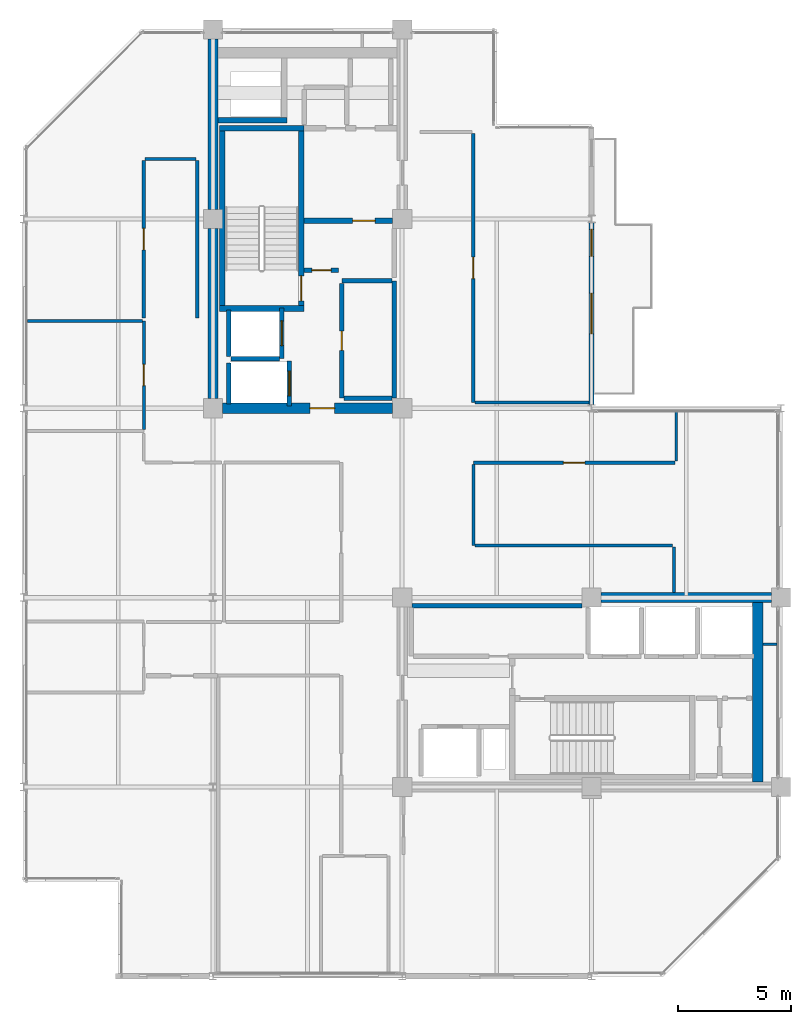
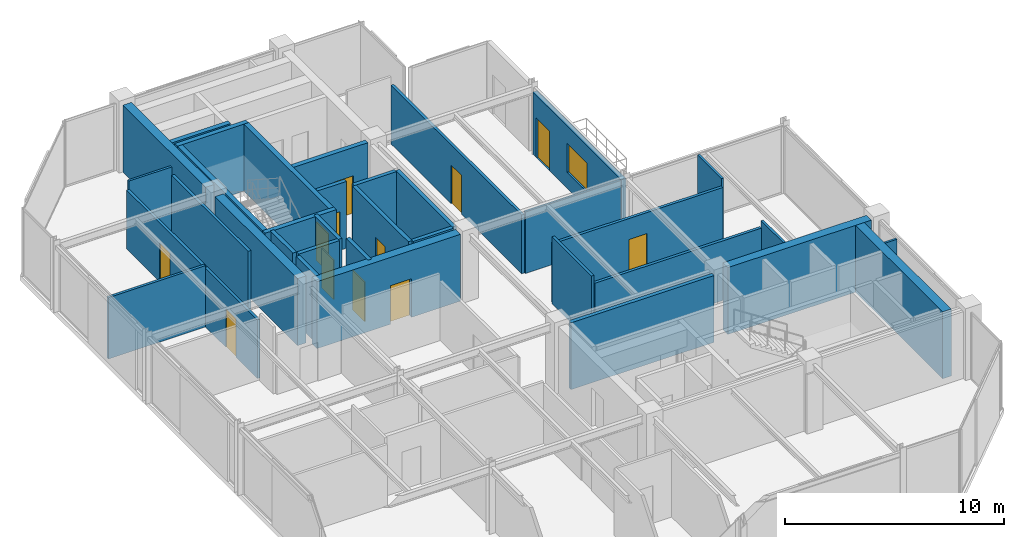
# One storey, part 21 of 24: 36 walls, 12 doors, 1 window, 13 openings.
"""IFC4 building model written with IfcOpenShell, lengths in metres."""

from ifc_helpers import new_model, si_unit, direction, frame, frame_2d, origin, place, context, subcontext, project, spatial, rectangle, extrude, material, layer, layer_set, type_object, element, fill, save


model = new_model("IFC4")

# Units and contexts
model_context = context("Model", 3, precision=1e-05, world=origin(), true_north=direction((0.0, 1.0)))
body_context = subcontext(model_context, "Body", "Model", "MODEL_VIEW")
ifc_project = project(units=[si_unit("LENGTHUNIT", "METRE"), si_unit("AREAUNIT", "SQUARE_METRE"), si_unit("VOLUMEUNIT", "CUBIC_METRE"), si_unit("PLANEANGLEUNIT", "RADIAN"), si_unit("MASSUNIT", "GRAM", prefix="KILO")], contexts=[model_context])

# Site, building, storey
site_placement = place(None, origin())
site = spatial("IfcSite", under=ifc_project, at=site_placement, CompositionType="ELEMENT")
building_placement = place(site_placement, origin())
building = spatial("IfcBuilding", under=site, at=building_placement, Name="Nerrivon Quay Data Exchange", CompositionType="ELEMENT")
storey_placement = place(building_placement, frame((0.0, 0.0, 310.199951171875)))
storey = spatial("IfcBuildingStorey", under=building, at=storey_placement, Name="L74", CompositionType="ELEMENT", Elevation=310.199951171875)

# Wall, openings, door, window
ifc_material_1 = material(Name="Architectural terracotta precast concrete N50 (50 MPa)", Category="masonry")
ifc_layer_1 = layer(ifc_material_1, 0.239990234375)
ifc_layer_set_1 = layer_set([ifc_layer_1], Name="Architectural terracotta precast concrete N50 (50 MPa)")
wall_type_1 = type_object("IfcWallType", Name="EW-PREC-240", PredefinedType="STANDARD", material=ifc_layer_set_1)
wall_1_placement = place(storey_placement, frame((25.199951171875, 33.4365234375, 0.0), z_axis=(0.0, 0.0, 1.0), x_axis=(0.0, -1.0, 0.0)))
wall_1 = element("IfcWall", 1, at=wall_1_placement, inside=storey, type_object=wall_type_1, Name="L74 Terrace Host Wall 20", PredefinedType="STANDARD", context=body_context, shape_type="SweptSolid", body=[
    extrude(rectangle(XDim=8.072998046875, YDim=0.239990234375, at=frame_2d((4.03662109375, 0.0))), origin(), (0.0, 0.0, 1.0), 3.47509765625),
])
opening_1_placement = place(wall_1_placement, frame((0.300048828125, 0.0, 0.0)))
opening_1 = element("IfcOpeningElement", 2, at=opening_1_placement, cuts=wall_1, Name="Opening TD1", PredefinedType="OPENING", context=body_context, shape_type="SweptSolid", body=[
    extrude(rectangle(XDim=1.199951171875, YDim=2.199951171875, at=frame_2d((0.60009765625, 1.10009765625))), frame((0.0, 0.1298828125, 0.0), z_axis=(0.0, -1.0, 0.0), x_axis=(1.0, 0.0, 0.0)), (0.0, 0.0, 1.0), 0.260009765625),
])
opening_2_placement = place(wall_1_placement, frame((3.131591796875, 0.0, 0.89990234375)))
opening_2 = element("IfcOpeningElement", 3, at=opening_2_placement, cuts=wall_1, Name="Opening WN2", PredefinedType="OPENING", context=body_context, shape_type="SweptSolid", body=[
    extrude(rectangle(XDim=1.800048828125, YDim=1.60009765625, at=frame_2d((0.89990234375, 0.800048828125))), frame((0.0, 0.1298828125, 0.0), z_axis=(0.0, -1.0, 0.0), x_axis=(1.0, 0.0, 0.0)), (0.0, 0.0, 1.0), 0.260009765625),
])
ifc_material_2 = material(Name="Double-glazed low-E solar control glass", Category="glass")
door_type_1 = type_object("IfcDoorType", Name="DR-TERR-1200x2200", OperationType="NOTDEFINED", PredefinedType="DOOR", material=ifc_material_2)
door_1_placement = place(opening_1_placement, origin())
door_1 = element("IfcDoor", 4, at=door_1_placement, inside=storey, type_object=door_type_1, Name="L74 Outdoor Terrace Access Door 20", OperationType="SINGLE_SWING_LEFT", OverallHeight=2.199951171875, OverallWidth=1.199951171875, PredefinedType="DOOR", context=body_context, shape_type="SweptSolid", body=[
    extrude(rectangle(XDim=1.199951171875, YDim=2.199951171875, at=frame_2d((0.60009765625, 1.10009765625))), frame((0.0, 0.02490234375, 0.0), z_axis=(0.0, -1.0, 0.0), x_axis=(1.0, 0.0, 0.0)), (0.0, 0.0, 1.0), 0.050048828125),
])
fill(opening_1, door_1)
window_type = type_object("IfcWindowType", Name="WIN-W2-1800x1600", PartitioningType="SINGLE_PANEL", PredefinedType="WINDOW", material=ifc_material_2)
window_placement = place(opening_2_placement, origin())
window = element("IfcWindow", 5, at=window_placement, inside=storey, type_object=window_type, Name="L74 Terrace Side Window 20", OverallHeight=1.60009765625, OverallWidth=1.800048828125, PartitioningType="SINGLE_PANEL", PredefinedType="WINDOW", context=body_context, shape_type="SweptSolid", body=[
    extrude(rectangle(XDim=1.800048828125, YDim=1.60009765625, at=frame_2d((0.89990234375, 0.800048828125))), frame((0.0, 0.030029296875, 0.0), z_axis=(0.0, -1.0, 0.0), x_axis=(1.0, 0.0, 0.0)), (0.0, 0.0, 1.0), 0.06005859375),
])
fill(opening_2, window)

# Walls
ifc_material_3 = material(Name="Concrete N50 (50 MPa)", Category="concrete")
ifc_layer_2 = layer(ifc_material_3, 0.449951171875)
ifc_layer_set_2 = layer_set([ifc_layer_2], Name="Concrete N50 (50 MPa)")
wall_type_2 = type_object("IfcWallType", Name="WALL-CW-550", PredefinedType="SHEAR", material=ifc_layer_set_2)
for number, where, z_axis, x_axis, name in (
    (6, (8.39990234375, 25.625, 0.0), (0.0, 0.0, 1.0), (0.0, 1.0, 0.0), "L74 West Split-Core Shear Wall WCW-W1"),
    (7, (8.39990234375, 34.02490234375, 0.0), (0.0, 0.0, 1.0), (0.0, 1.0, 0.0), "L74 West Split-Core Shear Wall WCW-W2"),
):
    element("IfcWall", number, at=place(storey_placement, frame(where, z_axis=z_axis, x_axis=x_axis)), inside=storey, type_object=wall_type_2, Name=name, PredefinedType="SHEAR", context=body_context, shape_type="SweptSolid", body=[
        extrude(rectangle(XDim=7.550048828125, YDim=0.449951171875, at=frame_2d((3.77490234375, 0.0))), origin(), (0.0, 0.0, 1.0), 3.72509765625),
    ])

# Wall, opening, door
wall_2_placement = place(storey_placement, frame((8.824951171875, 25.199951171875, 0.0), z_axis=(0.0, 0.0, 1.0), x_axis=(1.0, 0.0, 0.0)))
wall_2 = element("IfcWall", 8, at=wall_2_placement, inside=storey, type_object=wall_type_2, Name="L74 West Split-Core Shear Wall WCW-S1", PredefinedType="SHEAR", context=body_context, shape_type="SweptSolid", body=[
    extrude(rectangle(XDim=7.550048828125, YDim=0.449951171875, at=frame_2d((3.77490234375, 0.0))), origin(), (0.0, 0.0, 1.0), 3.72509765625),
])
opening_3_placement = place(wall_2_placement, frame((3.875, 0.0, 0.0)))
opening_3 = element("IfcOpeningElement", 9, at=opening_3_placement, cuts=wall_2, Name="Opening FD-120", PredefinedType="OPENING", context=body_context, shape_type="SweptSolid", body=[
    extrude(rectangle(XDim=1.10009765625, YDim=2.14990234375, at=frame_2d((0.550048828125, 1.074951171875))), frame((0.0, 0.23486328125, 0.0), z_axis=(0.0, -1.0, 0.0), x_axis=(1.0, 0.0, 0.0)), (0.0, 0.0, 1.0), 0.469970703125),
])
ifc_material_4 = material(Name="Powder-coated galvanized steel sheet", Category="steel")
door_type_2 = type_object("IfcDoorType", Name="DR-FD120-1100", OperationType="NOTDEFINED", PredefinedType="DOOR", material=ifc_material_4)
door_2_placement = place(opening_3_placement, origin())
door_2 = element("IfcDoor", 10, at=door_2_placement, inside=storey, type_object=door_type_2, Name="L74 West Core Lobby Fire Door", OperationType="SINGLE_SWING_LEFT", OverallHeight=2.14990234375, OverallWidth=1.10009765625, PredefinedType="DOOR", context=body_context, shape_type="SweptSolid", body=[
    extrude(rectangle(XDim=1.10009765625, YDim=2.14990234375, at=frame_2d((0.550048828125, 1.074951171875))), frame((0.0, 0.02490234375, 0.0), z_axis=(0.0, -1.0, 0.0), x_axis=(1.0, 0.0, 0.0)), (0.0, 0.0, 1.0), 0.050048828125),
])
fill(opening_3, door_2)

# Walls
wall_3_placement = place(storey_placement, frame((32.574951171875, 8.625, 0.0), z_axis=(0.0, 0.0, 1.0), x_axis=(0.0, 1.0, 0.0)))
element("IfcWall", 11, at=wall_3_placement, inside=storey, type_object=wall_type_2, Name="L74 East Split-Core Shear Wall ECW-E1", PredefinedType="SHEAR", context=body_context, shape_type="SweptSolid", body=[
    extrude(rectangle(XDim=7.949951171875, YDim=0.449951171875, at=frame_2d((3.97509765625, 0.0))), origin(), (0.0, 0.0, 1.0), 3.72509765625),
])
wall_4_placement = place(storey_placement, frame((25.625, 16.800048828125, 0.0), z_axis=(0.0, 0.0, 1.0), x_axis=(1.0, 0.0, 0.0)))
element("IfcWall", 12, at=wall_4_placement, inside=storey, type_object=wall_type_2, Name="L74 East Split-Core Shear Wall ECW-N1", PredefinedType="SHEAR", context=body_context, shape_type="SweptSolid", body=[
    extrude(rectangle(XDim=7.550048828125, YDim=0.449951171875, at=frame_2d((3.77490234375, 0.0))), origin(), (0.0, 0.0, 1.0), 3.72509765625),
])

# Wall, opening, door
ifc_material_5 = material(Name="Gypsum plasterboard on cold-formed framing", Category="gypsum")
ifc_layer_3 = layer(ifc_material_5, 0.199951171875)
ifc_layer_set_3 = layer_set([ifc_layer_3], Name="Gypsum plasterboard on cold-formed framing")
wall_type_3 = type_object("IfcWallType", Name="WALL-FW-200", PredefinedType="PARTITIONING", material=ifc_layer_set_3)
wall_5_placement = place(storey_placement, frame((11.449951171875, 27.39990234375, 0.0), z_axis=(0.0, 0.0, 1.0), x_axis=(0.0, 1.0, 0.0)))
wall_5 = element("IfcWall", 13, at=wall_5_placement, inside=storey, type_object=wall_type_3, Name="L74 Lift Front Wall FFL-1", PredefinedType="PARTITIONING", context=body_context, shape_type="SweptSolid", body=[
    extrude(rectangle(XDim=2.25, YDim=0.199951171875, at=frame_2d((1.125, 0.0))), origin(), (0.0, 0.0, 1.0), 3.72509765625),
])
opening_4_placement = place(wall_5_placement, frame((0.574951171875, 0.0, 0.0)))
opening_4 = element("IfcOpeningElement", 14, at=opening_4_placement, cuts=wall_5, Name="Opening LD-120", PredefinedType="OPENING", context=body_context, shape_type="SweptSolid", body=[
    extrude(rectangle(XDim=1.10009765625, YDim=2.199951171875, at=frame_2d((0.550048828125, 1.10009765625))), frame((0.0, 0.10986328125, 0.0), z_axis=(0.0, -1.0, 0.0), x_axis=(1.0, 0.0, 0.0)), (0.0, 0.0, 1.0), 0.219970703125),
])
door_type_3 = type_object("IfcDoorType", Name="DR-LIFT-LD120", OperationType="DOUBLE_DOOR_SLIDING", PredefinedType="DOOR", material=ifc_material_4)
door_3_placement = place(opening_4_placement, origin())
door_3 = element("IfcDoor", 15, at=door_3_placement, inside=storey, type_object=door_type_3, Name="L74 Lift Landing Sliding Door FFL-1", OperationType="DOUBLE_DOOR_SLIDING", OverallHeight=2.199951171875, OverallWidth=1.10009765625, PredefinedType="DOOR", context=body_context, shape_type="SweptSolid", body=[
    extrude(rectangle(XDim=1.10009765625, YDim=2.199951171875, at=frame_2d((0.550048828125, 1.10009765625))), frame((0.0, 0.02490234375, 0.0), z_axis=(0.0, -1.0, 0.0), x_axis=(1.0, 0.0, 0.0)), (0.0, 0.0, 1.0), 0.050048828125),
])
fill(opening_4, door_3)

# Walls
wall_6_placement = place(storey_placement, frame((9.10009765625, 27.5, 0.0), z_axis=(0.0, 0.0, 1.0), x_axis=(0.0, 1.0, 0.0)))
element("IfcWall", 16, at=wall_6_placement, inside=storey, type_object=wall_type_3, Name="L74 Lift Shaft Wall FFL-1 WEST", PredefinedType="PARTITIONING", context=body_context, shape_type="SweptSolid", body=[
    extrude(rectangle(XDim=2.050048828125, YDim=0.199951171875, at=frame_2d((1.02490234375, 0.0))), origin(), (0.0, 0.0, 1.0), 3.72509765625),
])
wall_7_placement = place(storey_placement, frame((9.199951171875, 27.39990234375, 0.0), z_axis=(0.0, 0.0, 1.0), x_axis=(1.0, 0.0, 0.0)))
element("IfcWall", 17, at=wall_7_placement, inside=storey, type_object=wall_type_3, Name="L74 Lift Shaft Wall FFL-1 SOUTH", PredefinedType="PARTITIONING", context=body_context, shape_type="SweptSolid", body=[
    extrude(rectangle(XDim=2.150146484375, YDim=0.199951171875, at=frame_2d((1.0751953125, 0.0))), origin(), (0.0, 0.0, 1.0), 3.72509765625),
])

# Wall, opening, door
wall_8_placement = place(storey_placement, frame((11.800048828125, 25.300048828125, 0.0), z_axis=(0.0, 0.0, 1.0), x_axis=(0.0, 1.0, 0.0)))
wall_8 = element("IfcWall", 18, at=wall_8_placement, inside=storey, type_object=wall_type_3, Name="L74 Lift Front Wall SVL-1", PredefinedType="PARTITIONING", context=body_context, shape_type="SweptSolid", body=[
    extrude(rectangle(XDim=2.0, YDim=0.199951171875, at=frame_2d((1.0, 0.0))), origin(), (0.0, 0.0, 1.0), 3.72509765625),
])
opening_5_placement = place(wall_8_placement, frame((0.449951171875, 0.0, 0.0)))
opening_5 = element("IfcOpeningElement", 19, at=opening_5_placement, cuts=wall_8, Name="Opening LD-120", PredefinedType="OPENING", context=body_context, shape_type="SweptSolid", body=[
    extrude(rectangle(XDim=1.10009765625, YDim=2.199951171875, at=frame_2d((0.550048828125, 1.10009765625))), frame((0.0, 0.10986328125, 0.0), z_axis=(0.0, -1.0, 0.0), x_axis=(1.0, 0.0, 0.0)), (0.0, 0.0, 1.0), 0.219970703125),
])
door_4_placement = place(opening_5_placement, origin())
door_4 = element("IfcDoor", 20, at=door_4_placement, inside=storey, type_object=door_type_3, Name="L74 Lift Landing Sliding Door SVL-1", OperationType="DOUBLE_DOOR_SLIDING", OverallHeight=2.199951171875, OverallWidth=1.10009765625, PredefinedType="DOOR", context=body_context, shape_type="SweptSolid", body=[
    extrude(rectangle(XDim=1.10009765625, YDim=2.199951171875, at=frame_2d((0.550048828125, 1.10009765625))), frame((0.0, 0.02490234375, 0.0), z_axis=(0.0, -1.0, 0.0), x_axis=(1.0, 0.0, 0.0)), (0.0, 0.0, 1.0), 0.050048828125),
])
fill(opening_5, door_4)

# Walls
wall_9_placement = place(storey_placement, frame((9.10009765625, 25.39990234375, 0.0), z_axis=(0.0, 0.0, 1.0), x_axis=(0.0, 1.0, 0.0)))
element("IfcWall", 21, at=wall_9_placement, inside=storey, type_object=wall_type_3, Name="L74 Lift Shaft Wall SVL-1 WEST", PredefinedType="PARTITIONING", context=body_context, shape_type="SweptSolid", body=[
    extrude(rectangle(XDim=1.800048828125, YDim=0.199951171875, at=frame_2d((0.89990234375, 0.0))), origin(), (0.0, 0.0, 1.0), 3.72509765625),
])
wall_10_placement = place(storey_placement, frame((16.449951171875, 25.64990234375, 0.0), z_axis=(0.0, 0.0, 1.0), x_axis=(0.0, 1.0, 0.0)))
element("IfcWall", 22, at=wall_10_placement, inside=storey, type_object=wall_type_3, Name="L74 Partition Fibre Patch Store", PredefinedType="PARTITIONING", context=body_context, shape_type="SweptSolid", body=[
    extrude(rectangle(XDim=5.2001953125, YDim=0.199951171875, at=frame_2d((2.60009765625, 0.0))), origin(), (0.0, 0.0, 1.0), 3.72509765625),
])
wall_11_placement = place(storey_placement, frame((16.345947265625, 30.85009765625, 0.0), z_axis=(0.0, 0.0, 1.0), x_axis=(-1.0, 0.0, 0.0)))
element("IfcWall", 23, at=wall_11_placement, inside=storey, type_object=wall_type_3, Name="L74 Partition Fibre Patch Store", PredefinedType="PARTITIONING", context=body_context, shape_type="SweptSolid", body=[
    extrude(rectangle(XDim=2.225830078125, YDim=0.199951171875, at=frame_2d((1.11279296875, 0.0))), origin(), (0.0, 0.0, 1.0), 3.72509765625),
])

# Wall, opening, door
wall_12_placement = place(storey_placement, frame((14.1201171875, 30.74609375, 0.0), z_axis=(0.0, 0.0, 1.0), x_axis=(0.0, -1.0, 0.0)))
wall_12 = element("IfcWall", 24, at=wall_12_placement, inside=storey, type_object=wall_type_3, Name="L74 Partition Fibre Patch Store", PredefinedType="PARTITIONING", context=body_context, shape_type="SweptSolid", body=[
    extrude(rectangle(XDim=5.09619140625, YDim=0.199951171875, at=frame_2d((2.548095703125, 0.0))), origin(), (0.0, 0.0, 1.0), 3.72509765625),
])
opening_6_placement = place(wall_12_placement, frame((2.123046875, 0.0, 0.0)))
opening_6 = element("IfcOpeningElement", 25, at=opening_6_placement, cuts=wall_12, Name="Opening FD-60S", PredefinedType="OPENING", context=body_context, shape_type="SweptSolid", body=[
    extrude(rectangle(XDim=0.85009765625, YDim=2.14990234375, at=frame_2d((0.425048828125, 1.074951171875))), frame((0.0, 0.10986328125, 0.0), z_axis=(0.0, -1.0, 0.0), x_axis=(1.0, 0.0, 0.0)), (0.0, 0.0, 1.0), 0.219970703125),
])
ifc_material_6 = material(Name="Engineered hardwood timber", Category="wood")
door_type_4 = type_object("IfcDoorType", Name="DR-FD60-850", OperationType="NOTDEFINED", PredefinedType="DOOR", material=ifc_material_6)
door_5_placement = place(opening_6_placement, origin())
door_5 = element("IfcDoor", 26, at=door_5_placement, inside=storey, type_object=door_type_4, Name="L74 Door Fibre Patch Store", OperationType="SINGLE_SWING_LEFT", OverallHeight=2.14990234375, OverallWidth=0.85009765625, PredefinedType="DOOR", context=body_context, shape_type="SweptSolid", body=[
    extrude(rectangle(XDim=0.85009765625, YDim=2.14990234375, at=frame_2d((0.425048828125, 1.074951171875))), frame((0.0, 0.02490234375, 0.0), z_axis=(0.0, -1.0, 0.0), x_axis=(1.0, 0.0, 0.0)), (0.0, 0.0, 1.0), 0.050048828125),
])
fill(opening_6, door_5)

# Wall
wall_13_placement = place(storey_placement, frame((14.22412109375, 25.64990234375, 0.0), z_axis=(0.0, 0.0, 1.0), x_axis=(1.0, 0.0, 0.0)))
element("IfcWall", 27, at=wall_13_placement, inside=storey, type_object=wall_type_3, Name="L74 Partition Fibre Patch Store", PredefinedType="PARTITIONING", context=body_context, shape_type="SweptSolid", body=[
    extrude(rectangle(XDim=2.121826171875, YDim=0.199951171875, at=frame_2d((1.06103515625, 0.0))), origin(), (0.0, 0.0, 1.0), 3.72509765625),
])

# Wall, opening, door
wall_14_placement = place(storey_placement, frame((12.4541015625, 31.320068359375, 0.0), z_axis=(0.0, 0.0, 1.0), x_axis=(0.999999949061, -0.000319182876, 0.0)))
wall_14 = element("IfcWall", 28, at=wall_14_placement, inside=storey, type_object=wall_type_3, Name="L74 Partition Core Equipment Closet", PredefinedType="PARTITIONING", context=body_context, shape_type="SweptSolid", body=[
    extrude(rectangle(XDim=1.52978515625, YDim=0.199951171875, at=frame_2d((0.764892578125, 0.0))), origin(), (0.0, 0.0, 1.0), 3.72509765625),
])
opening_7_placement = place(wall_14_placement, frame((0.340087890625, 0.0, 0.0)))
opening_7 = element("IfcOpeningElement", 29, at=opening_7_placement, cuts=wall_14, Name="Opening FD-60S", PredefinedType="OPENING", context=body_context, shape_type="SweptSolid", body=[
    extrude(rectangle(XDim=0.85009765625, YDim=2.14990234375, at=frame_2d((0.425048828125, 1.074951171875))), frame((0.0, 0.10986328125, 0.0), z_axis=(0.0, -1.0, 0.0), x_axis=(1.0, 0.0, 0.0)), (0.0, 0.0, 1.0), 0.219970703125),
])
door_6_placement = place(opening_7_placement, origin())
door_6 = element("IfcDoor", 30, at=door_6_placement, inside=storey, type_object=door_type_4, Name="L74 Door Core Equipment Closet", OperationType="SINGLE_SWING_RIGHT", OverallHeight=2.14990234375, OverallWidth=0.85009765625, PredefinedType="DOOR", context=body_context, shape_type="SweptSolid", body=[
    extrude(rectangle(XDim=0.85009765625, YDim=2.14990234375, at=frame_2d((0.425048828125, 1.074951171875))), frame((0.0, 0.02490234375, 0.0), z_axis=(0.0, -1.0, 0.0), x_axis=(1.0, 0.0, 0.0)), (0.0, 0.0, 1.0), 0.050048828125),
])
fill(opening_7, door_6)

# Walls
wall_15_placement = place(storey_placement, frame((24.77001953125, 16.449951171875, 0.0), z_axis=(0.0, 0.0, 1.0), x_axis=(-1.0, 0.0, 0.0)))
element("IfcWall", 31, at=wall_15_placement, inside=storey, type_object=wall_type_3, Name="L74 Partition High-Zone Patching Archive", PredefinedType="PARTITIONING", context=body_context, shape_type="SweptSolid", body=[
    extrude(rectangle(XDim=7.5400390625, YDim=0.199951171875, at=frame_2d((3.77001953125, 0.0))), origin(), (0.0, 0.0, 1.0), 3.72509765625),
])
ifc_layer_4 = layer(ifc_material_5, 0.1201171875)
ifc_layer_set_4 = layer_set([ifc_layer_4], Name="Gypsum plasterboard on cold-formed framing")
wall_type_4 = type_object("IfcWallType", Name="WALL-PT-120", PredefinedType="PARTITIONING", material=ifc_layer_set_4)
wall_16_placement = place(storey_placement, frame((28.860107421875, 19.050048828125, 0.0), z_axis=(0.0, 0.0, 1.0), x_axis=(0.0, -1.0, 0.0)))
element("IfcWall", 32, at=wall_16_placement, inside=storey, type_object=wall_type_4, Name="L74 Partition Peering Huddle Meeting Room", PredefinedType="PARTITIONING", context=body_context, shape_type="SweptSolid", body=[
    extrude(rectangle(XDim=2.02099609375, YDim=0.1201171875, at=frame_2d((1.010498046875, 0.0))), origin(), (0.0, 0.0, 1.0), 3.72509765625),
])
wall_17_placement = place(storey_placement, frame((32.803955078125, 14.72998046875, 0.0), z_axis=(0.0, 0.0, 1.0), x_axis=(1.0, 0.0, 0.0)))
element("IfcWall", 33, at=wall_17_placement, inside=storey, type_object=wall_type_4, Name="L74 Partition Peering Huddle Meeting Room", PredefinedType="PARTITIONING", context=body_context, shape_type="SweptSolid", body=[
    extrude(rectangle(XDim=0.626953125, YDim=0.1201171875, at=frame_2d((0.3134765625, 0.0))), origin(), (0.0, 0.0, 1.0), 3.72509765625),
])
wall_18_placement = place(storey_placement, frame((28.9599609375, 25.031005859375, 0.0), z_axis=(0.0, 0.0, 1.0), x_axis=(0.0, -1.0, 0.0)))
element("IfcWall", 34, at=wall_18_placement, inside=storey, type_object=wall_type_4, Name="L74 Partition Peering Huddle Meeting Room", PredefinedType="PARTITIONING", context=body_context, shape_type="SweptSolid", body=[
    extrude(rectangle(XDim=2.180908203125, YDim=0.1201171875, at=frame_2d((1.09033203125, 0.0))), origin(), (0.0, 0.0, 1.0), 3.72509765625),
])
wall_19_placement = place(storey_placement, frame((5.39990234375, 36.260009765625, 0.0), z_axis=(0.0, 0.0, 1.0), x_axis=(1.0, 0.0, 0.0)))
element("IfcWall", 35, at=wall_19_placement, inside=storey, type_object=wall_type_4, Name="L74 Partition Technical Library", PredefinedType="PARTITIONING", context=body_context, shape_type="SweptSolid", body=[
    extrude(rectangle(XDim=2.25, YDim=0.1201171875, at=frame_2d((1.125, 0.0))), origin(), (0.0, 0.0, 1.0), 3.72509765625),
])

# Wall, opening, door
ifc_layer_5 = layer(ifc_material_5, 0.135009765625)
ifc_layer_set_5 = layer_set([ifc_layer_5], Name="Gypsum plasterboard on cold-formed framing")
wall_type_5 = type_object("IfcWallType", Name="WALL-PT-135", PredefinedType="PARTITIONING", material=ifc_layer_set_5)
wall_20_placement = place(storey_placement, frame((5.340087890625, 24.26708984375, 0.0), z_axis=(0.0, 0.0, 1.0), x_axis=(0.0, 1.0, 0.0)))
wall_20 = element("IfcWall", 36, at=wall_20_placement, inside=storey, type_object=wall_type_5, Name="L74 Partition Staff Pantry", PredefinedType="PARTITIONING", context=body_context, shape_type="SweptSolid", body=[
    extrude(rectangle(XDim=4.814697265625, YDim=0.135009765625, at=frame_2d((2.4072265625, 0.0))), origin(), (0.0, 0.0, 1.0), 3.27099609375),
])
opening_8_placement = place(wall_20_placement, frame((1.9326171875, 0.0, 0.0)))
opening_8 = element("IfcOpeningElement", 37, at=opening_8_placement, cuts=wall_20, Name="Opening D-01", PredefinedType="OPENING", context=body_context, shape_type="SweptSolid", body=[
    extrude(rectangle(XDim=0.949951171875, YDim=2.14990234375, at=frame_2d((0.47509765625, 1.074951171875))), frame((0.0, 0.077392578125, 0.0), z_axis=(0.0, -1.0, 0.0), x_axis=(1.0, 0.0, 0.0)), (0.0, 0.0, 1.0), 0.155029296875),
])
door_type_5 = type_object("IfcDoorType", Name="DR-INT-950", OperationType="NOTDEFINED", PredefinedType="DOOR", material=ifc_material_6)
door_7_placement = place(opening_8_placement, origin())
door_7 = element("IfcDoor", 38, at=door_7_placement, inside=storey, type_object=door_type_5, Name="L74 Door Staff Pantry", OperationType="SINGLE_SWING_RIGHT", OverallHeight=2.14990234375, OverallWidth=0.949951171875, PredefinedType="DOOR", context=body_context, shape_type="SweptSolid", body=[
    extrude(rectangle(XDim=0.949951171875, YDim=2.14990234375, at=frame_2d((0.47509765625, 1.074951171875))), frame((0.0, 0.02490234375, 0.0), z_axis=(0.0, -1.0, 0.0), x_axis=(1.0, 0.0, 0.0)), (0.0, 0.0, 1.0), 0.050048828125),
])
fill(opening_8, door_7)

# Walls
wall_21_placement = place(storey_placement, frame((5.2685546875, 29.081787109375, 0.0), z_axis=(0.0, 0.0, 1.0), x_axis=(-1.0, 0.0, 0.0)))
element("IfcWall", 39, at=wall_21_placement, inside=storey, type_object=wall_type_5, Name="L74 Partition Staff Pantry", PredefinedType="PARTITIONING", context=body_context, shape_type="SweptSolid", body=[
    extrude(rectangle(XDim=5.099609375, YDim=0.135009765625, at=frame_2d((2.5498046875, 0.0))), origin(), (0.0, 0.0, 1.0), 3.421142578125),
])
wall_22_placement = place(storey_placement, frame((19.9599609375, 22.7109375, 0.0), z_axis=(0.0, 0.0, 1.0), x_axis=(0.0, -1.0, 0.0)))
element("IfcWall", 40, at=wall_22_placement, inside=storey, type_object=wall_type_5, Name="L74 Partition Peering Huddle Meeting Room", PredefinedType="PARTITIONING", context=body_context, shape_type="SweptSolid", body=[
    extrude(rectangle(XDim=3.600830078125, YDim=0.135009765625, at=frame_2d((1.80029296875, 0.0))), origin(), (0.0, 0.0, 1.0), 3.72509765625),
])
wall_23_placement = place(storey_placement, frame((20.0390625, 25.46337890625, 0.0), z_axis=(0.0, 0.0, 1.0), x_axis=(1.0, 0.0, 0.0)))
element("IfcWall", 41, at=wall_23_placement, inside=storey, type_object=wall_type_5, Name="L74 Partition Cloud Compute Workspace 1", PredefinedType="PARTITIONING", context=body_context, shape_type="SweptSolid", body=[
    extrude(rectangle(XDim=5.036865234375, YDim=0.135009765625, at=frame_2d((2.5185546875, 0.0))), origin(), (0.0, 0.0, 1.0), 3.421142578125),
])

# Wall, opening, door
ifc_layer_6 = layer(ifc_material_5, 0.14990234375)
ifc_layer_set_6 = layer_set([ifc_layer_6], Name="Gypsum plasterboard on cold-formed framing")
wall_type_6 = type_object("IfcWallType", Name="WALL-PT-150", PredefinedType="PARTITIONING", material=ifc_layer_set_6)
wall_24_placement = place(storey_placement, frame((28.89990234375, 22.7900390625, 0.0), z_axis=(0.0, 0.0, 1.0), x_axis=(-1.0, 0.0, 0.0)))
wall_24 = element("IfcWall", 42, at=wall_24_placement, inside=storey, type_object=wall_type_6, Name="L74 Partition Peering Huddle Meeting Room", PredefinedType="PARTITIONING", context=body_context, shape_type="SweptSolid", body=[
    extrude(rectangle(XDim=8.93994140625, YDim=0.14990234375, at=frame_2d((4.469970703125, 0.0))), origin(), (0.0, 0.0, 1.0), 3.319091796875),
])
opening_9_placement = place(wall_24_placement, frame((3.9951171875, 0.0, 0.0)))
opening_9 = element("IfcOpeningElement", 43, at=opening_9_placement, cuts=wall_24, Name="Opening D-01", PredefinedType="OPENING", context=body_context, shape_type="SweptSolid", body=[
    extrude(rectangle(XDim=0.949951171875, YDim=2.14990234375, at=frame_2d((0.47509765625, 1.074951171875))), frame((0.0, 0.0849609375, 0.0), z_axis=(0.0, -1.0, 0.0), x_axis=(1.0, 0.0, 0.0)), (0.0, 0.0, 1.0), 0.169921875),
])
door_8_placement = place(opening_9_placement, origin())
door_8 = element("IfcDoor", 44, at=door_8_placement, inside=storey, type_object=door_type_5, Name="L74 Door Peering Huddle Meeting Room", OperationType="SINGLE_SWING_RIGHT", OverallHeight=2.14990234375, OverallWidth=0.949951171875, PredefinedType="DOOR", context=body_context, shape_type="SweptSolid", body=[
    extrude(rectangle(XDim=0.949951171875, YDim=2.14990234375, at=frame_2d((0.47509765625, 1.074951171875))), frame((0.0, 0.02490234375, 0.0), z_axis=(0.0, -1.0, 0.0), x_axis=(1.0, 0.0, 0.0)), (0.0, 0.0, 1.0), 0.050048828125),
])
fill(opening_9, door_8)

# Walls
wall_25_placement = place(storey_placement, frame((20.031494140625, 19.110107421875, 0.0), z_axis=(0.0, 0.0, 1.0), x_axis=(1.0, 0.0, 0.0)))
element("IfcWall", 45, at=wall_25_placement, inside=storey, type_object=wall_type_6, Name="L74 Partition Peering Huddle Meeting Room", PredefinedType="PARTITIONING", context=body_context, shape_type="SweptSolid", body=[
    extrude(rectangle(XDim=8.7685546875, YDim=0.14990234375, at=frame_2d((4.38427734375, 0.0))), origin(), (0.0, 0.0, 1.0), 3.319091796875),
])
wall_26_placement = place(storey_placement, frame((7.7099609375, 36.199951171875, 0.0), z_axis=(0.0, 0.0, 1.0), x_axis=(0.0, -1.0, 0.0)))
element("IfcWall", 46, at=wall_26_placement, inside=storey, type_object=wall_type_6, Name="L74 Partition Technical Library", PredefinedType="PARTITIONING", context=body_context, shape_type="SweptSolid", body=[
    extrude(rectangle(XDim=6.998046875, YDim=0.14990234375, at=frame_2d((3.4990234375, 0.0))), origin(), (0.0, 0.0, 1.0), 3.27099609375),
])

# Wall, opening, door
wall_27_placement = place(storey_placement, frame((5.340087890625, 29.201904296875, 0.0), z_axis=(0.0, 0.0, 1.0), x_axis=(0.0, 1.0, 0.0)))
wall_27 = element("IfcWall", 47, at=wall_27_placement, inside=storey, type_object=wall_type_6, Name="L74 Partition Technical Library", PredefinedType="PARTITIONING", context=body_context, shape_type="SweptSolid", body=[
    extrude(rectangle(XDim=6.998046875, YDim=0.14990234375, at=frame_2d((3.4990234375, 0.0))), origin(), (0.0, 0.0, 1.0), 3.27099609375),
])
opening_10_placement = place(wall_27_placement, frame((3.024169921875, 0.0, 0.0)))
opening_10 = element("IfcOpeningElement", 48, at=opening_10_placement, cuts=wall_27, Name="Opening D-01", PredefinedType="OPENING", context=body_context, shape_type="SweptSolid", body=[
    extrude(rectangle(XDim=0.949951171875, YDim=2.14990234375, at=frame_2d((0.47509765625, 1.074951171875))), frame((0.0, 0.0849609375, 0.0), z_axis=(0.0, -1.0, 0.0), x_axis=(1.0, 0.0, 0.0)), (0.0, 0.0, 1.0), 0.169921875),
])
door_9_placement = place(opening_10_placement, origin())
door_9 = element("IfcDoor", 49, at=door_9_placement, inside=storey, type_object=door_type_5, Name="L74 Door Technical Library", OperationType="SINGLE_SWING_LEFT", OverallHeight=2.14990234375, OverallWidth=0.949951171875, PredefinedType="DOOR", context=body_context, shape_type="SweptSolid", body=[
    extrude(rectangle(XDim=0.949951171875, YDim=2.14990234375, at=frame_2d((0.47509765625, 1.074951171875))), frame((0.0, 0.02490234375, 0.0), z_axis=(0.0, -1.0, 0.0), x_axis=(1.0, 0.0, 0.0)), (0.0, 0.0, 1.0), 0.050048828125),
])
fill(opening_10, door_9)

wall_28_placement = place(storey_placement, frame((19.9599609375, 37.39990234375, 0.0), z_axis=(0.0, 0.0, 1.0), x_axis=(0.0, -1.0, 0.0)))
wall_28 = element("IfcWall", 50, at=wall_28_placement, inside=storey, type_object=wall_type_6, Name="L74 Partition Cloud Compute Workspace 1", PredefinedType="PARTITIONING", context=body_context, shape_type="SweptSolid", body=[
    extrude(rectangle(XDim=11.9365234375, YDim=0.14990234375, at=frame_2d((5.96826171875, 0.0))), origin(), (0.0, 0.0, 1.0), 3.27099609375),
])
opening_11_placement = place(wall_28_placement, frame((5.493408203125, 0.0, 0.0)))
opening_11 = element("IfcOpeningElement", 51, at=opening_11_placement, cuts=wall_28, Name="Opening D-01", PredefinedType="OPENING", context=body_context, shape_type="SweptSolid", body=[
    extrude(rectangle(XDim=0.949951171875, YDim=2.14990234375, at=frame_2d((0.47509765625, 1.074951171875))), frame((0.0, 0.0849609375, 0.0), z_axis=(0.0, -1.0, 0.0), x_axis=(1.0, 0.0, 0.0)), (0.0, 0.0, 1.0), 0.169921875),
])
door_10_placement = place(opening_11_placement, origin())
door_10 = element("IfcDoor", 52, at=door_10_placement, inside=storey, type_object=door_type_5, Name="L74 Door Cloud Compute Workspace 1", OperationType="SINGLE_SWING_RIGHT", OverallHeight=2.14990234375, OverallWidth=0.949951171875, PredefinedType="DOOR", context=body_context, shape_type="SweptSolid", body=[
    extrude(rectangle(XDim=0.949951171875, YDim=2.14990234375, at=frame_2d((0.47509765625, 1.074951171875))), frame((0.0, 0.02490234375, 0.0), z_axis=(0.0, -1.0, 0.0), x_axis=(1.0, 0.0, 0.0)), (0.0, 0.0, 1.0), 0.050048828125),
])
fill(opening_11, door_10)

# Walls
ifc_layer_7 = layer(ifc_material_3, 0.25)
ifc_layer_set_7 = layer_set([ifc_layer_7], Name="Concrete N50 (50 MPa)")
wall_type_7 = type_object("IfcWallType", Name="WALL-SW-250", PredefinedType="SHEAR", material=ifc_layer_set_7)
for number, where, z_axis, x_axis, name in (
    (53, (12.449951171875, 29.625, 0.0), (0.0, 0.0, 1.0), (-1.0, 0.0, 0.0), "L74 ST01 Structural Stair Core Wall NEAR"),
    (54, (12.449951171875, 37.625, 0.0), (0.0, 0.0, 1.0), (-1.0, 0.0, 0.0), "L74 ST01 Structural Stair Core Wall FAR"),
):
    element("IfcWall", number, at=place(storey_placement, frame(where, z_axis=z_axis, x_axis=x_axis)), inside=storey, type_object=wall_type_7, Name=name, PredefinedType="SHEAR", context=body_context, shape_type="SweptSolid", body=[
        extrude(rectangle(XDim=3.75, YDim=0.25, at=frame_2d((1.875, 0.0))), origin(), (0.0, 0.0, 1.0), 3.72509765625),
    ])

# Wall, opening, door
wall_29_placement = place(storey_placement, frame((12.324951171875, 29.75, 0.0), z_axis=(0.0, 0.0, 1.0), x_axis=(0.0, 1.0, 0.0)))
wall_29 = element("IfcWall", 55, at=wall_29_placement, inside=storey, type_object=wall_type_7, Name="L74 ST01 Structural Stair Core Wall LEFT", PredefinedType="SHEAR", context=body_context, shape_type="SweptSolid", body=[
    extrude(rectangle(XDim=7.75, YDim=0.25, at=frame_2d((3.875, 0.0))), origin(), (0.0, 0.0, 1.0), 3.72509765625),
])
opening_12_placement = place(wall_29_placement, frame((0.219970703125, 0.0, 0.0)))
opening_12 = element("IfcOpeningElement", 56, at=opening_12_placement, cuts=wall_29, Name="Opening FD-120", PredefinedType="OPENING", context=body_context, shape_type="SweptSolid", body=[
    extrude(rectangle(XDim=1.10009765625, YDim=2.14990234375, at=frame_2d((0.550048828125, 1.074951171875))), frame((0.0, 0.135009765625, 0.0), z_axis=(0.0, -1.0, 0.0), x_axis=(1.0, 0.0, 0.0)), (0.0, 0.0, 1.0), 0.27001953125),
])
door_11_placement = place(opening_12_placement, origin())
door_11 = element("IfcDoor", 57, at=door_11_placement, inside=storey, type_object=door_type_2, Name="L74 Protected Stair Door ST01", OperationType="SINGLE_SWING_LEFT", OverallHeight=2.14990234375, OverallWidth=1.10009765625, PredefinedType="DOOR", context=body_context, shape_type="SweptSolid", body=[
    extrude(rectangle(XDim=1.10009765625, YDim=2.14990234375, at=frame_2d((0.550048828125, 1.074951171875))), frame((0.0, 0.02490234375, 0.0), z_axis=(0.0, -1.0, 0.0), x_axis=(1.0, 0.0, 0.0)), (0.0, 0.0, 1.0), 0.050048828125),
])
fill(opening_12, door_11)

# Walls
wall_30_placement = place(storey_placement, frame((8.824951171875, 29.75, 0.0), z_axis=(0.0, 0.0, 1.0), x_axis=(0.0, 1.0, 0.0)))
element("IfcWall", 58, at=wall_30_placement, inside=storey, type_object=wall_type_7, Name="L74 ST01 Structural Stair Core Wall RIGHT", PredefinedType="SHEAR", context=body_context, shape_type="SweptSolid", body=[
    extrude(rectangle(XDim=7.75, YDim=0.25, at=frame_2d((3.875, 0.0))), origin(), (0.0, 0.0, 1.0), 3.72509765625),
])
wall_31_placement = place(storey_placement, frame((8.625, 37.97509765625, 0.0), z_axis=(0.0, 0.0, 1.0), x_axis=(1.0, 0.0, 0.0)))
element("IfcWall", 59, at=wall_31_placement, inside=storey, type_object=wall_type_7, Name="L74 West Core MEP Riser Shaft Wall S", PredefinedType="SHEAR", context=body_context, shape_type="SweptSolid", body=[
    extrude(rectangle(XDim=3.074951171875, YDim=0.25, at=frame_2d((1.53759765625, 0.0))), origin(), (0.0, 0.0, 1.0), 3.72509765625),
])

# Wall, opening, door
wall_32_placement = place(storey_placement, frame((12.449951171875, 33.52001953125, 0.0), z_axis=(0.0, 0.0, 1.0), x_axis=(1.0, 0.0, 0.0)))
wall_32 = element("IfcWall", 60, at=wall_32_placement, inside=storey, type_object=wall_type_7, Name="L74 West Lobby Smoke-Stop Wall", PredefinedType="SHEAR", context=body_context, shape_type="SweptSolid", body=[
    extrude(rectangle(XDim=3.925048828125, YDim=0.25, at=frame_2d((1.96240234375, 0.0))), origin(), (0.0, 0.0, 1.0), 3.72509765625),
])
opening_13_placement = place(wall_32_placement, frame((2.14990234375, 0.0, 0.0)))
opening_13 = element("IfcOpeningElement", 61, at=opening_13_placement, cuts=wall_32, Name="Opening FD-60", PredefinedType="OPENING", context=body_context, shape_type="SweptSolid", body=[
    extrude(rectangle(XDim=1.0, YDim=2.14990234375, at=frame_2d((0.5, 1.074951171875))), frame((0.0, 0.135009765625, 0.0), z_axis=(0.0, -1.0, 0.0), x_axis=(1.0, 0.0, 0.0)), (0.0, 0.0, 1.0), 0.27001953125),
])
door_type_6 = type_object("IfcDoorType", Name="DR-FD60-1000", OperationType="NOTDEFINED", PredefinedType="DOOR", material=ifc_material_6)
door_12_placement = place(opening_13_placement, origin())
door_12 = element("IfcDoor", 62, at=door_12_placement, inside=storey, type_object=door_type_6, Name="L74 West Firefighting Lobby Fire Door", OperationType="SINGLE_SWING_LEFT", OverallHeight=2.14990234375, OverallWidth=1.0, PredefinedType="DOOR", context=body_context, shape_type="SweptSolid", body=[
    extrude(rectangle(XDim=1.0, YDim=2.14990234375, at=frame_2d((0.5, 1.074951171875))), frame((0.0, 0.02490234375, 0.0), z_axis=(0.0, -1.0, 0.0), x_axis=(1.0, 0.0, 0.0)), (0.0, 0.0, 1.0), 0.050048828125),
])
fill(opening_13, door_12)

save(model, "model.ifc")
